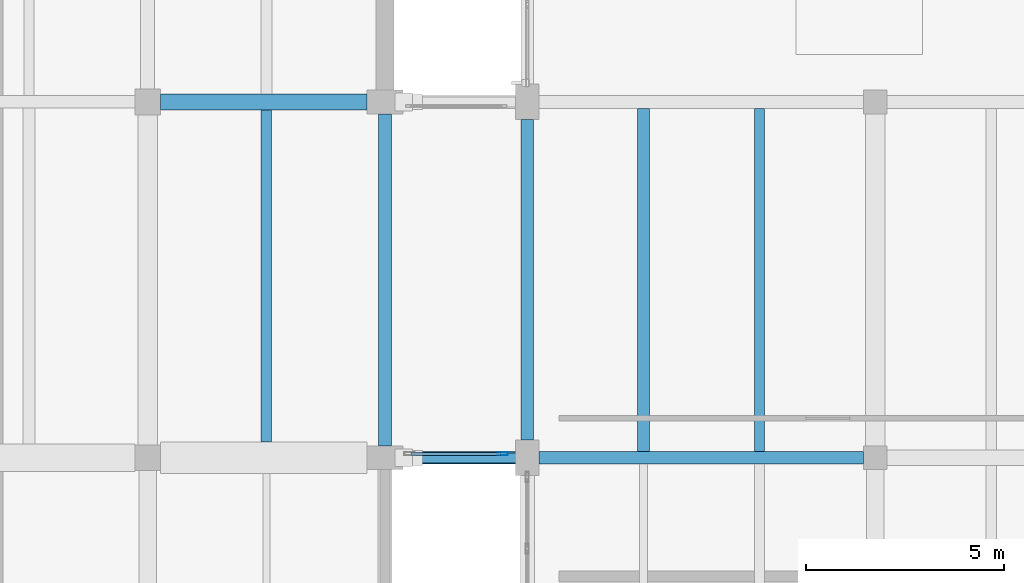
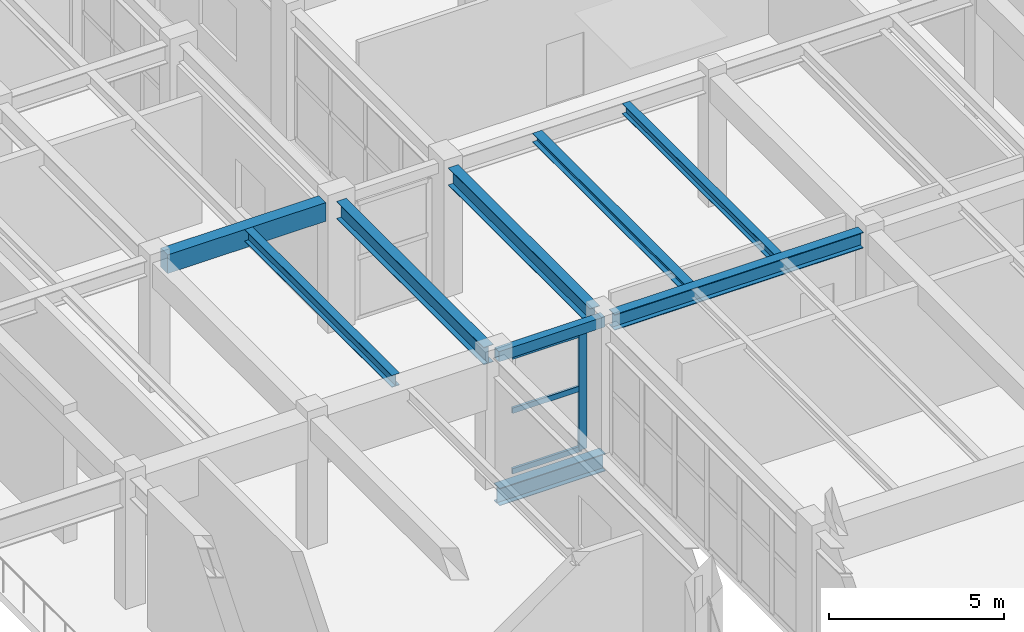
# One storey, part 31 of 85: 9 beams, 4 members, 1 element without a shape of its own.
"""IFC4 building model written with IfcOpenShell, lengths in metres."""

from ifc_helpers import new_model, si_unit, direction, frame, origin, origin_2d, place, context, subcontext, project, spatial, rectangle, hollow_rectangle, i_section, extrude, material, layer, layer_set, material_profile, profile_set, type_object, element, aggregate, save


model = new_model("IFC4")

# Units and contexts
model_context = context("Model", 3, precision=1e-05, world=origin(), true_north=direction((0.0, 1.0)))
body_context = subcontext(model_context, "Body", "Model", "MODEL_VIEW")
ifc_project = project(units=[si_unit("LENGTHUNIT", "METRE"), si_unit("AREAUNIT", "SQUARE_METRE"), si_unit("VOLUMEUNIT", "CUBIC_METRE"), si_unit("PLANEANGLEUNIT", "RADIAN"), si_unit("MASSUNIT", "GRAM", prefix="KILO")], contexts=[model_context])

# Site, building, storey
site_placement = place(None, origin())
site = spatial("IfcSite", under=ifc_project, at=site_placement, CompositionType="ELEMENT")
building_placement = place(site_placement, origin())
building = spatial("IfcBuilding", under=site, at=building_placement, Name="Vaelkrest Opera House", CompositionType="ELEMENT")
storey_placement = place(building_placement, frame((0.0, 0.0, 10.199951171875)))
storey = spatial("IfcBuildingStorey", under=building, at=storey_placement, Name="L02", CompositionType="ELEMENT", Elevation=10.199951171875)

# Beams
ifc_material_1 = material(Name="Concrete C50/60", Category="concrete")
ifc_material_profile_1 = material_profile(ifc_material_1, rectangle(XDim=0.39990234375, YDim=0.64990234375, at=origin_2d()), Name="RCB400X650")
ifc_profile_set_1 = profile_set([ifc_material_profile_1], Name="Concrete C50/60")
beam_type_1 = type_object("IfcBeamType", Name="B01", PredefinedType="BEAM", material=ifc_profile_set_1)
beam_1_placement = place(storey_placement, frame((24.324951171875, 1.199951171875, 4.179931640625), z_axis=(1.0, 0.0, 0.0), x_axis=(0.0, 1.0, 0.0)))
element("IfcBeam", 1, at=beam_1_placement, inside=storey, type_object=beam_type_1, Name="Beam BM-V1-L02-0349", PredefinedType="BEAM", context=body_context, shape_type="SweptSolid", body=[
    extrude(rectangle(XDim=0.39990234375, YDim=0.64990234375, at=origin_2d()), origin(), (0.0, 0.0, 1.0), 5.22509765625),
])
ifc_material_2 = material(Name="Steel A992 Gr50", Category="steel")
ifc_material_profile_2 = material_profile(ifc_material_2, i_section(OverallWidth=0.31494140625, OverallDepth=0.551025390625, WebThickness=0.01513671875, FlangeThickness=0.0244140625, at=origin_2d()), Name="W21X122")
ifc_profile_set_2 = profile_set([ifc_material_profile_2], Name="Steel A992 Gr50")
beam_type_2 = type_object("IfcBeamType", Name="B20", PredefinedType="BEAM", material=ifc_profile_set_2)
beam_2_placement = place(storey_placement, frame((33.89990234375, -7.800048828125, 4.2294921875), z_axis=(1.0, 0.0, 0.0), x_axis=(0.0, 1.0, 0.0)))
element("IfcBeam", 2, at=beam_2_placement, inside=storey, type_object=beam_type_2, Name="Beam BM-V4-L02-2260", PredefinedType="BEAM", context=body_context, shape_type="SweptSolid", body=[
    extrude(i_section(OverallWidth=0.31494140625, OverallDepth=0.551025390625, WebThickness=0.01513671875, FlangeThickness=0.0244140625, at=origin_2d()), origin(), (0.0, 0.0, 1.0), 8.2001953125),
])

# Curtain wall, members
ifc_material_3 = material(Name="Dark bronze anodized aluminium", Category="aluminium")
ifc_layer = layer(ifc_material_3, 0.2099609375)
ifc_layer_set = layer_set([ifc_layer], Name="Dark bronze anodized aluminium")
curtain_wall_type = type_object("IfcCurtainWallType", Name="CW04", PredefinedType="NOTDEFINED", material=ifc_layer_set)
curtain_wall_placement = place(storey_placement, origin())
curtain_wall = element("IfcCurtainWall", 3, at=curtain_wall_placement, inside=storey, type_object=curtain_wall_type, Name="Curtain wall CW-L02-182", PredefinedType="NOTDEFINED")
ifc_material_profile_3 = material_profile(ifc_material_3, hollow_rectangle(XDim=0.080078125, YDim=0.260009765625, WallThickness=0.0048828125, at=origin_2d()), Name="CWM80X260")
ifc_profile_set_3 = profile_set([ifc_material_profile_3], Name="Dark bronze anodized aluminium")
member_type_1 = type_object("IfcMemberType", Name="CWM04", PredefinedType="MULLION", material=ifc_profile_set_3)
member_1_placement = place(storey_placement, frame((32.97998046875, -7.699951171875, 0.0), z_axis=(0.0, 0.0, 1.0), x_axis=(0.0, -1.0, 0.0)))
member_1 = element("IfcMember", 4, at=member_1_placement, type_object=member_type_1, Name="CW04 mullion 1", PredefinedType="MULLION", context=body_context, shape_type="SweptSolid", body=[
    extrude(hollow_rectangle(XDim=0.080078125, YDim=0.260009765625, WallThickness=0.0048828125, at=origin_2d()), origin(), (0.0, 0.0, 1.0), 4.080078125),
])
ifc_material_profile_4 = material_profile(ifc_material_3, hollow_rectangle(XDim=0.080078125, YDim=0.18994140625, WallThickness=0.0048828125, at=origin_2d()), Name="CWT80X190")
ifc_profile_set_4 = profile_set([ifc_material_profile_4], Name="Dark bronze anodized aluminium")
member_type_2 = type_object("IfcMemberType", Name="CWT04", PredefinedType="USERDEFINED", material=ifc_profile_set_4)
member_2_placement = place(storey_placement, frame((32.93994140625, -7.699951171875, 0.0400390625), z_axis=(-1.0, 0.0, 0.0), x_axis=(0.0, -1.0, 0.0)))
member_2 = element("IfcMember", 5, at=member_2_placement, type_object=member_type_2, Name="CW04 transom 1.1", ObjectType="TRANSOM", PredefinedType="USERDEFINED", context=body_context, shape_type="SweptSolid", body=[
    extrude(hollow_rectangle(XDim=0.080078125, YDim=0.18994140625, WallThickness=0.0048828125, at=origin_2d()), origin(), (0.0, 0.0, 1.0), 2.280029296875),
])
member_3_placement = place(storey_placement, frame((32.93994140625, -7.699951171875, 2.150146484375), z_axis=(-1.0, 0.0, 0.0), x_axis=(0.0, -1.0, 0.0)))
member_3 = element("IfcMember", 6, at=member_3_placement, type_object=member_type_2, Name="CW04 transom 1.2", ObjectType="TRANSOM", PredefinedType="USERDEFINED", context=body_context, shape_type="SweptSolid", body=[
    extrude(hollow_rectangle(XDim=0.080078125, YDim=0.18994140625, WallThickness=0.0048828125, at=origin_2d()), origin(), (0.0, 0.0, 1.0), 2.280029296875),
])
member_4_placement = place(storey_placement, frame((32.93994140625, -7.699951171875, 4.0400390625), z_axis=(-1.0, 0.0, 0.0), x_axis=(0.0, -1.0, 0.0)))
member_4 = element("IfcMember", 7, at=member_4_placement, type_object=member_type_2, Name="CW04 transom 1.3", ObjectType="TRANSOM", PredefinedType="USERDEFINED", context=body_context, shape_type="SweptSolid", body=[
    extrude(hollow_rectangle(XDim=0.080078125, YDim=0.18994140625, WallThickness=0.0048828125, at=origin_2d()), origin(), (0.0, 0.0, 1.0), 2.280029296875),
])
aggregate(curtain_wall, [member_1, member_2, member_3, member_4])

# Beams
ifc_material_profile_5 = material_profile(ifc_material_2, i_section(OverallWidth=0.304931640625, OverallDepth=0.30810546875, WebThickness=0.010009765625, FlangeThickness=0.015380859375, at=origin_2d()), Name="W12X65")
ifc_profile_set_5 = profile_set([ifc_material_profile_5], Name="Steel A992 Gr50")
beam_type_3 = type_object("IfcBeamType", Name="J04", PredefinedType="JOIST", material=ifc_profile_set_5)
beam_3_placement = place(storey_placement, frame((36.532958984375, -7.642578125, 4.35107421875), z_axis=(0.0, 1.0, 0.0), x_axis=(-1.0, 0.0, 0.0)))
element("IfcBeam", 8, at=beam_3_placement, inside=storey, type_object=beam_type_3, Name="Floor joist JST-V4-L02-2314", PredefinedType="JOIST", context=body_context, shape_type="SweptSolid", body=[
    extrude(i_section(OverallWidth=0.304931640625, OverallDepth=0.30810546875, WebThickness=0.010009765625, FlangeThickness=0.015380859375, at=origin_2d()), origin(), (0.0, 0.0, 1.0), 8.6806640625),
])
ifc_material_profile_6 = material_profile(ifc_material_2, i_section(OverallWidth=0.2548828125, OverallDepth=0.35693359375, WebThickness=0.010498046875, FlangeThickness=0.018310546875, at=origin_2d()), Name="W14X68")
ifc_profile_set_6 = profile_set([ifc_material_profile_6], Name="Steel A992 Gr50")
beam_type_4 = type_object("IfcBeamType", Name="J05", PredefinedType="JOIST", material=ifc_profile_set_6)
beam_4_placement = place(storey_placement, frame((39.467041015625, -7.642578125, 4.32666015625), z_axis=(0.0, 1.0, 0.0), x_axis=(-1.0, 0.0, 0.0)))
element("IfcBeam", 9, at=beam_4_placement, inside=storey, type_object=beam_type_4, Name="Floor joist JST-V4-L02-2315", PredefinedType="JOIST", context=body_context, shape_type="SweptSolid", body=[
    extrude(i_section(OverallWidth=0.2548828125, OverallDepth=0.35693359375, WebThickness=0.010498046875, FlangeThickness=0.018310546875, at=origin_2d()), origin(), (0.0, 0.0, 1.0), 8.6806640625),
])
ifc_material_profile_7 = material_profile(ifc_material_2, i_section(OverallWidth=0.261962890625, OverallDepth=0.4189453125, WebThickness=0.01171875, FlangeThickness=0.019287109375, at=origin_2d()), Name="W16X77")
ifc_profile_set_7 = profile_set([ifc_material_profile_7], Name="Steel A992 Gr50")
beam_type_5 = type_object("IfcBeamType", Name="J08", PredefinedType="JOIST", material=ifc_profile_set_7)
beam_5_placement = place(storey_placement, frame((27.0, -7.39990234375, 4.295654296875), z_axis=(0.0, 1.0, 0.0), x_axis=(-1.0, 0.0, 0.0)))
element("IfcBeam", 10, at=beam_5_placement, inside=storey, type_object=beam_type_5, Name="Floor joist JST-V1-L02-0418", PredefinedType="JOIST", context=body_context, shape_type="SweptSolid", body=[
    extrude(i_section(OverallWidth=0.261962890625, OverallDepth=0.4189453125, WebThickness=0.01171875, FlangeThickness=0.019287109375, at=origin_2d()), origin(), (0.0, 0.0, 1.0), 8.39990234375),
])
ifc_material_profile_8 = material_profile(ifc_material_2, i_section(OverallWidth=0.323974609375, OverallDepth=0.611083984375, WebThickness=0.0126953125, FlangeThickness=0.01904296875, at=origin_2d()), Name="W24X104")
ifc_profile_set_8 = profile_set([ifc_material_profile_8], Name="Steel A992 Gr50")
beam_type_6 = type_object("IfcBeamType", Name="SP01", PredefinedType="SPANDREL", material=ifc_profile_set_8)
beam_6_placement = place(storey_placement, frame((30.0, -7.5, 4.199462890625), z_axis=(0.0, 1.0, 0.0), x_axis=(-1.0, 0.0, 0.0)))
element("IfcBeam", 11, at=beam_6_placement, inside=storey, type_object=beam_type_6, Name="Beam BM-V1-L02-0404", PredefinedType="SPANDREL", context=body_context, shape_type="SweptSolid", body=[
    extrude(i_section(OverallWidth=0.323974609375, OverallDepth=0.611083984375, WebThickness=0.0126953125, FlangeThickness=0.01904296875, at=origin_2d()), origin(), (0.0, 0.0, 1.0), 8.39990234375),
])
beam_7_placement = place(storey_placement, frame((33.60009765625, -7.35009765625, 4.199462890625), z_axis=(0.0, 1.0, 0.0), x_axis=(-1.0, 0.0, 0.0)))
element("IfcBeam", 12, at=beam_7_placement, inside=storey, type_object=beam_type_6, Name="Beam BM-V4-L02-2282", PredefinedType="SPANDREL", context=body_context, shape_type="SweptSolid", body=[
    extrude(i_section(OverallWidth=0.323974609375, OverallDepth=0.611083984375, WebThickness=0.0126953125, FlangeThickness=0.01904296875, at=origin_2d()), origin(), (0.0, 0.0, 1.0), 8.10009765625),
])
beam_8_placement = place(storey_placement, frame((30.10009765625, -7.800048828125, -0.530029296875), z_axis=(1.0, 0.0, 0.0), x_axis=(0.0, 1.0, 0.0)))
element("IfcBeam", 13, at=beam_8_placement, inside=storey, type_object=beam_type_6, Name="Bridge cantilever girder BR-E-L02 S", PredefinedType="SPANDREL", context=body_context, shape_type="SweptSolid", body=[
    extrude(i_section(OverallWidth=0.323974609375, OverallDepth=0.611083984375, WebThickness=0.0126953125, FlangeThickness=0.01904296875, at=origin_2d()), origin(), (0.0, 0.0, 1.0), 3.5),
])
ifc_material_4 = material(Name="Steel A500 GrC", Category="steel")
ifc_material_profile_9 = material_profile(ifc_material_4, hollow_rectangle(XDim=0.25390625, YDim=0.35595703125, WallThickness=0.0126953125, at=origin_2d()), Name="HSS356X254X12.7")
ifc_profile_set_9 = profile_set([ifc_material_profile_9], Name="Steel A500 GrC")
beam_type_7 = type_object("IfcBeamType", Name="SP04", PredefinedType="SPANDREL", material=ifc_profile_set_9)
beam_9_placement = place(storey_placement, frame((30.10009765625, -7.800048828125, 4.344970703125), z_axis=(1.0, 0.0, 0.0), x_axis=(0.0, 1.0, 0.0)))
element("IfcBeam", 14, at=beam_9_placement, inside=storey, type_object=beam_type_7, Name="Bridge roof girder BR-E-L02 S", PredefinedType="SPANDREL", context=body_context, shape_type="SweptSolid", body=[
    extrude(hollow_rectangle(XDim=0.25390625, YDim=0.35595703125, WallThickness=0.0126953125, at=origin_2d()), origin(), (0.0, 0.0, 1.0), 3.5),
])

save(model, "model.ifc")
